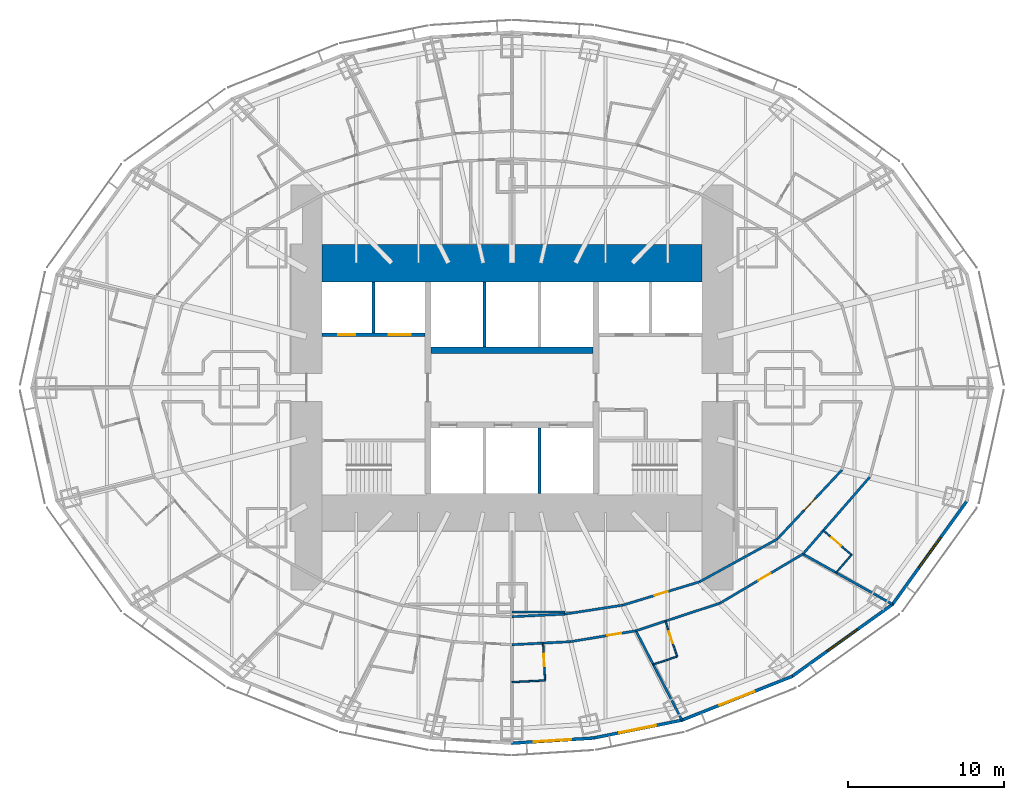
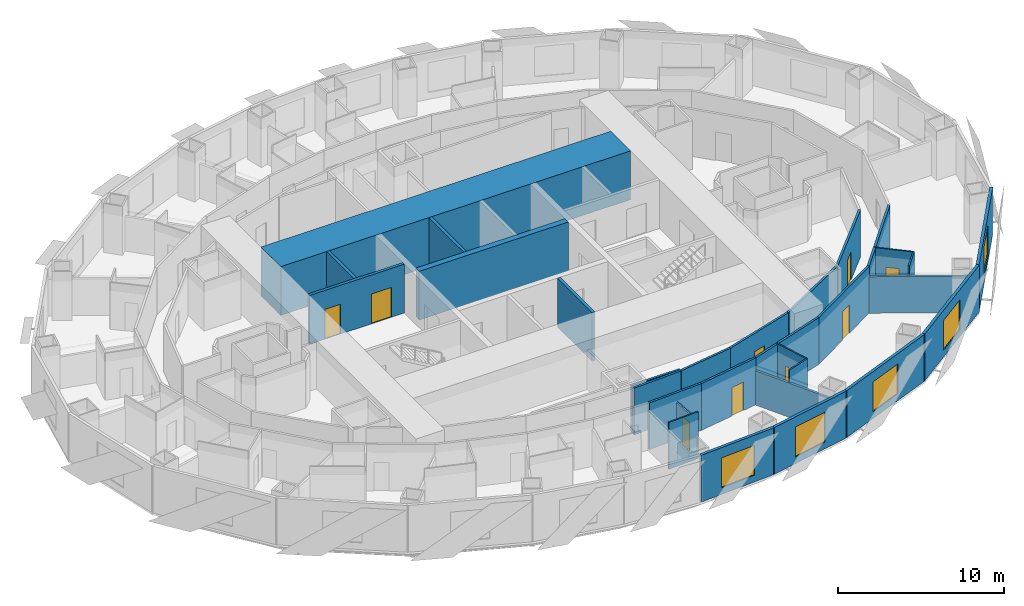
# One storey, part 7 of 15: 30 walls, 9 doors, 5 windows, 14 openings.
"""IFC4 building model written with IfcOpenShell, lengths in metres."""

from ifc_helpers import new_model, si_unit, direction, frame, frame_2d, origin, place, context, subcontext, project, spatial, rectangle, extrude, material, layer, layer_set, type_object, element, fill, save


model = new_model("IFC4")

# Units and contexts
model_context = context("Model", 3, precision=1e-05, world=origin(), true_north=direction((0.0, 1.0)))
body_context = subcontext(model_context, "Body", "Model", "MODEL_VIEW")
ifc_project = project(units=[si_unit("LENGTHUNIT", "METRE"), si_unit("AREAUNIT", "SQUARE_METRE"), si_unit("VOLUMEUNIT", "CUBIC_METRE"), si_unit("PLANEANGLEUNIT", "RADIAN"), si_unit("MASSUNIT", "GRAM", prefix="KILO")], contexts=[model_context])

# Site, building, storey
site_placement = place(None, origin())
site = spatial("IfcSite", under=ifc_project, at=site_placement, CompositionType="ELEMENT")
building_placement = place(site_placement, origin())
building = spatial("IfcBuilding", under=site, at=building_placement, Name="Lantaw Convention Tower", CompositionType="ELEMENT")
storey_placement = place(building_placement, frame((0.0, 0.0, 58.60009765625)))
storey = spatial("IfcBuildingStorey", under=building, at=storey_placement, Name="L12", CompositionType="ELEMENT", Elevation=58.60009765625)

# Wall
ifc_material_1 = material(Name="Gypsum board on steel studs", Category="steel")
ifc_layer_1 = layer(ifc_material_1, 0.14990234375)
ifc_layer_set_1 = layer_set([ifc_layer_1], Name="Back of house wall 150")
wall_type_1 = type_object("IfcWallType", Name="Back of house wall 150", PredefinedType="PARTITIONING", material=ifc_layer_set_1)
wall_1_placement = place(storey_placement, frame((0.0, -14.39990234375, 0.0), z_axis=(0.0, 0.0, 1.0), x_axis=(1.0, 0.0, 0.0)))
element("IfcWall", 1, at=wall_1_placement, inside=storey, type_object=wall_type_1, Name="Back of house wall 150", PredefinedType="PARTITIONING", context=body_context, shape_type="SweptSolid", body=[
    extrude(rectangle(XDim=3.401123046875, YDim=0.14990234375, at=frame_2d((1.70068359375, 0.0))), origin(), (0.0, 0.0, 1.0), 3.449951171875),
])

# Wall, opening, door
ifc_material_2 = material(Name="Moisture resistant gypsum board on steel studs", Category="steel")
ifc_layer_2 = layer(ifc_material_2, 0.10009765625)
ifc_layer_set_2 = layer_set([ifc_layer_2], Name="Bathroom wall 100")
wall_type_2 = type_object("IfcWallType", Name="Bathroom wall 100", PredefinedType="PARTITIONING", material=ifc_layer_set_2)
wall_2_placement = place(storey_placement, frame((1.997314453125, -16.39599609375, 0.0), z_axis=(0.0, 0.0, 1.0), x_axis=(0.051982187452, -0.998648012158, 0.0)))
wall_2 = element("IfcWall", 2, at=wall_2_placement, inside=storey, type_object=wall_type_2, Name="Bathroom wall 100", PredefinedType="PARTITIONING", context=body_context, shape_type="SweptSolid", body=[
    extrude(rectangle(XDim=2.39990234375, YDim=0.10009765625, at=frame_2d((1.199951171875, 0.0))), origin(), (0.0, 0.0, 1.0), 2.748779296875),
])
opening_1_placement = place(wall_2_placement, frame((0.699951171875, 0.0, 0.0)))
opening_1 = element("IfcOpeningElement", 3, at=opening_1_placement, cuts=wall_2, Name="Opening L12.55", PredefinedType="OPENING", context=body_context, shape_type="SweptSolid", body=[
    extrude(rectangle(XDim=0.800048828125, YDim=2.10009765625, at=frame_2d((0.39990234375, 1.050048828125))), frame((0.0, 0.06005859375, 0.0), z_axis=(0.0, -1.0, 0.0), x_axis=(1.0, 0.0, 0.0)), (0.0, 0.0, 1.0), 0.1201171875),
])
ifc_material_3 = material(Name="Timber", Category="wood")
door_type_1 = type_object("IfcDoorType", Name="Bathroom door 800", OperationType="SINGLE_SWING_LEFT", PredefinedType="DOOR", material=ifc_material_3)
door_1_placement = place(opening_1_placement, origin())
door_1 = element("IfcDoor", 4, at=door_1_placement, inside=storey, type_object=door_type_1, Name="Bathroom door", OperationType="SINGLE_SWING_LEFT", OverallHeight=2.10009765625, OverallWidth=0.800048828125, PredefinedType="DOOR", context=body_context, shape_type="SweptSolid", body=[
    extrude(rectangle(XDim=0.800048828125, YDim=2.10009765625, at=frame_2d((0.39990234375, 1.050048828125))), frame((0.0, 0.02490234375, 0.0), z_axis=(0.0, -1.0, 0.0), x_axis=(1.0, 0.0, 0.0)), (0.0, 0.0, 1.0), 0.050048828125),
])
fill(opening_1, door_1)

# Wall
wall_3_placement = place(storey_placement, frame((2.1220703125, -18.792724609375, 0.0), z_axis=(0.0, 0.0, 1.0), x_axis=(-0.998644675281, -0.052046253785, 0.0)))
element("IfcWall", 5, at=wall_3_placement, inside=storey, type_object=wall_type_2, Name="Bathroom wall 100", PredefinedType="PARTITIONING", context=body_context, shape_type="SweptSolid", body=[
    extrude(rectangle(XDim=2.125, YDim=0.10009765625, at=frame_2d((1.0625, 0.0))), origin(), (0.0, 0.0, 1.0), 3.449951171875),
])

# Wall, opening, door
wall_4_placement = place(storey_placement, frame((9.852294921875, -14.98291015625, 0.0), z_axis=(0.0, 0.0, 1.0), x_axis=(0.311890952591, -0.950117905153, 0.0)))
wall_4 = element("IfcWall", 6, at=wall_4_placement, inside=storey, type_object=wall_type_2, Name="Bathroom wall 100", PredefinedType="PARTITIONING", context=body_context, shape_type="SweptSolid", body=[
    extrude(rectangle(XDim=2.39990234375, YDim=0.10009765625, at=frame_2d((1.199951171875, 0.0))), origin(), (0.0, 0.0, 1.0), 3.449951171875),
])
opening_2_placement = place(wall_4_placement, frame((0.699951171875, 0.0, 0.0)))
opening_2 = element("IfcOpeningElement", 7, at=opening_2_placement, cuts=wall_4, Name="Opening L12.57", PredefinedType="OPENING", context=body_context, shape_type="SweptSolid", body=[
    extrude(rectangle(XDim=0.800048828125, YDim=2.10009765625, at=frame_2d((0.39990234375, 1.050048828125))), frame((0.0, 0.06005859375, 0.0), z_axis=(0.0, -1.0, 0.0), x_axis=(1.0, 0.0, 0.0)), (0.0, 0.0, 1.0), 0.1201171875),
])
door_2_placement = place(opening_2_placement, origin())
door_2 = element("IfcDoor", 8, at=door_2_placement, inside=storey, type_object=door_type_1, Name="Bathroom door", OperationType="SINGLE_SWING_LEFT", OverallHeight=2.10009765625, OverallWidth=0.800048828125, PredefinedType="DOOR", context=body_context, shape_type="SweptSolid", body=[
    extrude(rectangle(XDim=0.800048828125, YDim=2.10009765625, at=frame_2d((0.39990234375, 1.050048828125))), frame((0.0, 0.02490234375, 0.0), z_axis=(0.0, -1.0, 0.0), x_axis=(1.0, 0.0, 0.0)), (0.0, 0.0, 1.0), 0.050048828125),
])
fill(opening_2, door_2)

# Wall
wall_5_placement = place(storey_placement, frame((10.600830078125, -17.26318359375, 0.0), z_axis=(0.0, 0.0, 1.0), x_axis=(-0.950113706819, -0.311903741746, 0.0)))
element("IfcWall", 9, at=wall_5_placement, inside=storey, type_object=wall_type_2, Name="Bathroom wall 100", PredefinedType="PARTITIONING", context=body_context, shape_type="SweptSolid", body=[
    extrude(rectangle(XDim=1.62744140625, YDim=0.10009765625, at=frame_2d((0.813720703125, 0.0))), origin(), (0.0, 0.0, 1.0), 3.449951171875),
])

# Wall, opening, door
wall_6_placement = place(storey_placement, frame((19.99267578125, -9.164794921875, 0.0), z_axis=(0.0, 0.0, 1.0), x_axis=(0.755098052661, -0.655611875172, 0.0)))
wall_6 = element("IfcWall", 10, at=wall_6_placement, inside=storey, type_object=wall_type_2, Name="Bathroom wall 100", PredefinedType="PARTITIONING", context=body_context, shape_type="SweptSolid", body=[
    extrude(rectangle(XDim=2.400146484375, YDim=0.10009765625, at=frame_2d((1.2001953125, 0.0))), origin(), (0.0, 0.0, 1.0), 3.449951171875),
])
opening_3_placement = place(wall_6_placement, frame((0.699951171875, 0.0, 0.0)))
opening_3 = element("IfcOpeningElement", 11, at=opening_3_placement, cuts=wall_6, Name="Opening L12.59", PredefinedType="OPENING", context=body_context, shape_type="SweptSolid", body=[
    extrude(rectangle(XDim=0.800048828125, YDim=2.10009765625, at=frame_2d((0.39990234375, 1.050048828125))), frame((0.0, 0.06005859375, 0.0), z_axis=(0.0, -1.0, 0.0), x_axis=(1.0, 0.0, 0.0)), (0.0, 0.0, 1.0), 0.1201171875),
])
door_3_placement = place(opening_3_placement, origin())
door_3 = element("IfcDoor", 12, at=door_3_placement, inside=storey, type_object=door_type_1, Name="Bathroom door", OperationType="SINGLE_SWING_LEFT", OverallHeight=2.10009765625, OverallWidth=0.800048828125, PredefinedType="DOOR", context=body_context, shape_type="SweptSolid", body=[
    extrude(rectangle(XDim=0.800048828125, YDim=2.10009765625, at=frame_2d((0.39990234375, 1.050048828125))), frame((0.0, 0.02490234375, 0.0), z_axis=(0.0, -1.0, 0.0), x_axis=(1.0, 0.0, 0.0)), (0.0, 0.0, 1.0), 0.050048828125),
])
fill(opening_3, door_3)

# Walls
wall_7_placement = place(storey_placement, frame((21.804931640625, -10.73828125, 0.0), z_axis=(0.0, 0.0, 1.0), x_axis=(-0.655528024617, -0.755170847518, 0.0)))
element("IfcWall", 13, at=wall_7_placement, inside=storey, type_object=wall_type_2, Name="Bathroom wall 100", PredefinedType="PARTITIONING", context=body_context, shape_type="SweptSolid", body=[
    extrude(rectangle(XDim=1.52392578125, YDim=0.10009765625, at=frame_2d((0.761962890625, 0.0))), origin(), (0.0, 0.0, 1.0), 3.449951171875),
])
ifc_material_4 = material(Name="Concrete C60/75", Category="concrete")
ifc_layer_3 = layer(ifc_material_4, 2.39990234375)
ifc_layer_set_3 = layer_set([ifc_layer_3], Name="Core wall 2400")
wall_type_3 = type_object("IfcWallType", Name="Core wall 2400", PredefinedType="SHEAR", material=ifc_layer_set_3)
wall_8_placement = place(storey_placement, frame((12.199951171875, 8.0, 0.0), z_axis=(0.0, 0.0, 1.0), x_axis=(-1.0, 0.0, 0.0)))
element("IfcWall", 14, at=wall_8_placement, inside=storey, type_object=wall_type_3, Name="Core wall N", PredefinedType="SHEAR", context=body_context, shape_type="SweptSolid", body=[
    extrude(rectangle(XDim=24.39990234375, YDim=2.39990234375, at=frame_2d((12.199951171875, 0.0))), origin(), (0.0, 0.0, 1.0), 3.599853515625),
])
ifc_layer_4 = layer(ifc_material_4, 0.39990234375)
ifc_layer_set_4 = layer_set([ifc_layer_4], Name="Core wall 400")
wall_type_4 = type_object("IfcWallType", Name="Core wall 400", PredefinedType="SHEAR", material=ifc_layer_set_4)
wall_9_placement = place(storey_placement, frame((5.199951171875, 2.39990234375, 0.0), z_axis=(0.0, 0.0, 1.0), x_axis=(-1.0, 0.0, 0.0)))
element("IfcWall", 15, at=wall_9_placement, inside=storey, type_object=wall_type_4, Name="Core wall BN", PredefinedType="SHEAR", context=body_context, shape_type="SweptSolid", body=[
    extrude(rectangle(XDim=10.39990234375, YDim=0.39990234375, at=frame_2d((5.199951171875, 0.0))), origin(), (0.0, 0.0, 1.0), 3.599853515625),
])
ifc_material_5 = material(Name="Gypsum board on steel studs, fire rated", Category="steel")
ifc_layer_5 = layer(ifc_material_5, 0.14990234375)
ifc_layer_set_5 = layer_set([ifc_layer_5], Name="Corridor wall 150 EI 60")
wall_type_5 = type_object("IfcWallType", Name="Corridor wall 150 EI 60", PredefinedType="PARTITIONING", material=ifc_layer_set_5)
wall_10_placement = place(storey_placement, frame((0.0, -16.5, 0.0), z_axis=(0.0, 0.0, 1.0), x_axis=(0.998649848759, 0.05194689186, 0.0)))
element("IfcWall", 16, at=wall_10_placement, inside=storey, type_object=wall_type_5, Name="Corridor wall 150", PredefinedType="PARTITIONING", context=body_context, shape_type="SweptSolid", body=[
    extrude(rectangle(XDim=3.769287109375, YDim=0.14990234375, at=frame_2d((1.884765625, 0.0))), origin(), (0.0, 0.0, 1.0), 3.449951171875),
])

# Wall, opening, door
wall_11_placement = place(storey_placement, frame((3.76416015625, -16.30419921875, 0.0), z_axis=(0.0, 0.0, 1.0), x_axis=(0.98641101506, 0.164296407044, 0.0)))
wall_11 = element("IfcWall", 17, at=wall_11_placement, inside=storey, type_object=wall_type_5, Name="Corridor wall 150", PredefinedType="PARTITIONING", context=body_context, shape_type="SweptSolid", body=[
    extrude(rectangle(XDim=4.245361328125, YDim=0.14990234375, at=frame_2d((2.12255859375, 0.0))), origin(), (0.0, 0.0, 1.0), 3.449951171875),
])
opening_4_placement = place(wall_11_placement, frame((2.38330078125, 0.0, 0.0)))
opening_4 = element("IfcOpeningElement", 18, at=opening_4_placement, cuts=wall_11, Name="Opening L12.56", PredefinedType="OPENING", context=body_context, shape_type="SweptSolid", body=[
    extrude(rectangle(XDim=0.89990234375, YDim=2.10009765625, at=frame_2d((0.449951171875, 1.050048828125))), frame((0.0, 0.0849609375, 0.0), z_axis=(0.0, -1.0, 0.0), x_axis=(1.0, 0.0, 0.0)), (0.0, 0.0, 1.0), 0.169921875),
])
ifc_material_6 = material(Name="Steel, fire rated", Category="steel")
door_type_2 = type_object("IfcDoorType", Name="Guest room entrance door FD30S", OperationType="SINGLE_SWING_LEFT", PredefinedType="DOOR", material=ifc_material_6)
door_4_placement = place(opening_4_placement, origin())
door_4 = element("IfcDoor", 19, at=door_4_placement, inside=storey, type_object=door_type_2, Name="Junior suite entrance door", OperationType="SINGLE_SWING_LEFT", OverallHeight=2.10009765625, OverallWidth=0.89990234375, PredefinedType="DOOR", context=body_context, shape_type="SweptSolid", body=[
    extrude(rectangle(XDim=0.89990234375, YDim=2.10009765625, at=frame_2d((0.449951171875, 1.050048828125))), frame((0.0, 0.02490234375, 0.0), z_axis=(0.0, -1.0, 0.0), x_axis=(1.0, 0.0, 0.0)), (0.0, 0.0, 1.0), 0.050048828125),
])
fill(opening_4, door_4)

# Wall
wall_12_placement = place(storey_placement, frame((7.951904296875, -15.606689453125, 0.0), z_axis=(0.0, 0.0, 1.0), x_axis=(0.950106803111, 0.311924770869, 0.0)))
element("IfcWall", 20, at=wall_12_placement, inside=storey, type_object=wall_type_5, Name="Corridor wall 150", PredefinedType="PARTITIONING", context=body_context, shape_type="SweptSolid", body=[
    extrude(rectangle(XDim=5.689453125, YDim=0.14990234375, at=frame_2d((2.8447265625, 0.0))), origin(), (0.0, 0.0, 1.0), 3.449951171875),
])

# Wall, opening, door
wall_13_placement = place(storey_placement, frame((13.357421875, -13.83203125, 0.0), z_axis=(0.0, 0.0, 1.0), x_axis=(0.860147339762, 0.510045639036, 0.0)))
wall_13 = element("IfcWall", 21, at=wall_13_placement, inside=storey, type_object=wall_type_5, Name="Corridor wall 150", PredefinedType="PARTITIONING", context=body_context, shape_type="SweptSolid", body=[
    extrude(rectangle(XDim=6.189697265625, YDim=0.14990234375, at=frame_2d((3.0947265625, 0.0))), origin(), (0.0, 0.0, 1.0), 3.449951171875),
])
opening_5_placement = place(wall_13_placement, frame((2.852783203125, 0.0, 0.0)))
opening_5 = element("IfcOpeningElement", 22, at=opening_5_placement, cuts=wall_13, Name="Opening L12.58", PredefinedType="OPENING", context=body_context, shape_type="SweptSolid", body=[
    extrude(rectangle(XDim=0.89990234375, YDim=2.10009765625, at=frame_2d((0.449951171875, 1.050048828125))), frame((0.0, 0.0849609375, 0.0), z_axis=(0.0, -1.0, 0.0), x_axis=(1.0, 0.0, 0.0)), (0.0, 0.0, 1.0), 0.169921875),
])
door_5_placement = place(opening_5_placement, origin())
door_5 = element("IfcDoor", 23, at=door_5_placement, inside=storey, type_object=door_type_2, Name="Junior suite entrance door", OperationType="SINGLE_SWING_LEFT", OverallHeight=2.10009765625, OverallWidth=0.89990234375, PredefinedType="DOOR", context=body_context, shape_type="SweptSolid", body=[
    extrude(rectangle(XDim=0.89990234375, YDim=2.10009765625, at=frame_2d((0.449951171875, 1.050048828125))), frame((0.0, 0.02490234375, 0.0), z_axis=(0.0, -1.0, 0.0), x_axis=(1.0, 0.0, 0.0)), (0.0, 0.0, 1.0), 0.050048828125),
])
fill(opening_5, door_5)

# Walls
wall_14_placement = place(storey_placement, frame((18.681396484375, -10.675048828125, 0.0), z_axis=(0.0, 0.0, 1.0), x_axis=(0.655599989166, 0.755108372491, 0.0)))
element("IfcWall", 24, at=wall_14_placement, inside=storey, type_object=wall_type_5, Name="Corridor wall 150", PredefinedType="PARTITIONING", context=body_context, shape_type="SweptSolid", body=[
    extrude(rectangle(XDim=6.55078125, YDim=0.14990234375, at=frame_2d((3.275390625, 0.0))), origin(), (0.0, 0.0, 1.0), 3.449951171875),
])
wall_15_placement = place(storey_placement, frame((0.0, -14.699951171875, 0.0), z_axis=(0.0, 0.0, 1.0), x_axis=(0.998842682549, 0.048096730859, 0.0)))
element("IfcWall", 25, at=wall_15_placement, inside=storey, type_object=wall_type_5, Name="Corridor wall 150", PredefinedType="PARTITIONING", context=body_context, shape_type="SweptSolid", body=[
    extrude(rectangle(XDim=3.3603515625, YDim=0.14990234375, at=frame_2d((1.68017578125, 0.0))), origin(), (0.0, 0.0, 1.0), 3.449951171875),
])
wall_16_placement = place(storey_placement, frame((3.3564453125, -14.538330078125, 0.0), z_axis=(0.0, 0.0, 1.0), x_axis=(0.988343461108, 0.152240608529, 0.0)))
element("IfcWall", 26, at=wall_16_placement, inside=storey, type_object=wall_type_5, Name="Corridor wall 150", PredefinedType="PARTITIONING", context=body_context, shape_type="SweptSolid", body=[
    extrude(rectangle(XDim=3.800537109375, YDim=0.14990234375, at=frame_2d((1.900390625, 0.0))), origin(), (0.0, 0.0, 1.0), 3.449951171875),
])

# Wall, opening, door
wall_17_placement = place(storey_placement, frame((7.11279296875, -13.959716796875, 0.0), z_axis=(0.0, 0.0, 1.0), x_axis=(0.956795045135, 0.290763205385, 0.0)))
wall_17 = element("IfcWall", 27, at=wall_17_placement, inside=storey, type_object=wall_type_5, Name="Corridor wall 150", PredefinedType="PARTITIONING", context=body_context, shape_type="SweptSolid", body=[
    extrude(rectangle(XDim=5.1455078125, YDim=0.14990234375, at=frame_2d((2.57275390625, 0.0))), origin(), (0.0, 0.0, 1.0), 3.449951171875),
])
opening_6_placement = place(wall_17_placement, frame((2.122802734375, 0.0, 0.0)))
opening_6 = element("IfcOpeningElement", 28, at=opening_6_placement, cuts=wall_17, Name="Opening L12.23", PredefinedType="OPENING", context=body_context, shape_type="SweptSolid", body=[
    extrude(rectangle(XDim=0.89990234375, YDim=2.10009765625, at=frame_2d((0.449951171875, 1.050048828125))), frame((0.0, 0.0849609375, 0.0), z_axis=(0.0, -1.0, 0.0), x_axis=(1.0, 0.0, 0.0)), (0.0, 0.0, 1.0), 0.169921875),
])
door_type_3 = type_object("IfcDoorType", Name="Service door 900 FD30", OperationType="SINGLE_SWING_LEFT", PredefinedType="DOOR", material=ifc_material_6)
door_6_placement = place(opening_6_placement, origin())
door_6 = element("IfcDoor", 29, at=door_6_placement, inside=storey, type_object=door_type_3, Name="Guest ice and vending room door", OperationType="SINGLE_SWING_LEFT", OverallHeight=2.10009765625, OverallWidth=0.89990234375, PredefinedType="DOOR", context=body_context, shape_type="SweptSolid", body=[
    extrude(rectangle(XDim=0.89990234375, YDim=2.10009765625, at=frame_2d((0.449951171875, 1.050048828125))), frame((0.0, 0.02490234375, 0.0), z_axis=(0.0, -1.0, 0.0), x_axis=(1.0, 0.0, 0.0)), (0.0, 0.0, 1.0), 0.050048828125),
])
fill(opening_6, door_6)

# Wall
wall_18_placement = place(storey_placement, frame((12.035888671875, -12.463623046875, 0.0), z_axis=(0.0, 0.0, 1.0), x_axis=(0.876522084062, 0.481361647986, 0.0)))
element("IfcWall", 30, at=wall_18_placement, inside=storey, type_object=wall_type_5, Name="Corridor wall 150", PredefinedType="PARTITIONING", context=body_context, shape_type="SweptSolid", body=[
    extrude(rectangle(XDim=5.68701171875, YDim=0.14990234375, at=frame_2d((2.843505859375, 0.0))), origin(), (0.0, 0.0, 1.0), 3.449951171875),
])

# Wall, opening, door
wall_19_placement = place(storey_placement, frame((17.020751953125, -9.72607421875, 0.0), z_axis=(0.0, 0.0, 1.0), x_axis=(0.68365836236, 0.729802194828, 0.0)))
wall_19 = element("IfcWall", 31, at=wall_19_placement, inside=storey, type_object=wall_type_5, Name="Corridor wall 150", PredefinedType="PARTITIONING", context=body_context, shape_type="SweptSolid", body=[
    extrude(rectangle(XDim=6.08984375, YDim=0.14990234375, at=frame_2d((3.044921875, 0.0))), origin(), (0.0, 0.0, 1.0), 3.449951171875),
])
opening_7_placement = place(wall_19_placement, frame((2.544921875, 0.0, 0.0)))
opening_7 = element("IfcOpeningElement", 32, at=opening_7_placement, cuts=wall_19, Name="Opening L12.24", PredefinedType="OPENING", context=body_context, shape_type="SweptSolid", body=[
    extrude(rectangle(XDim=1.0, YDim=2.10009765625, at=frame_2d((0.5, 1.050048828125))), frame((0.0, 0.0849609375, 0.0), z_axis=(0.0, -1.0, 0.0), x_axis=(1.0, 0.0, 0.0)), (0.0, 0.0, 1.0), 0.169921875),
])
door_type_4 = type_object("IfcDoorType", Name="Service door 1000 FD30", OperationType="SINGLE_SWING_LEFT", PredefinedType="DOOR", material=ifc_material_6)
door_7_placement = place(opening_7_placement, origin())
door_7 = element("IfcDoor", 33, at=door_7_placement, inside=storey, type_object=door_type_4, Name="Room service pantry door", OperationType="SINGLE_SWING_LEFT", OverallHeight=2.10009765625, OverallWidth=1.0, PredefinedType="DOOR", context=body_context, shape_type="SweptSolid", body=[
    extrude(rectangle(XDim=1.0, YDim=2.10009765625, at=frame_2d((0.5, 1.050048828125))), frame((0.0, 0.02490234375, 0.0), z_axis=(0.0, -1.0, 0.0), x_axis=(1.0, 0.0, 0.0)), (0.0, 0.0, 1.0), 0.050048828125),
])
fill(opening_7, door_7)

# Wall, opening, window
ifc_material_7 = material(Name="Insulated aluminium panel on steel frame", Category="steel")
ifc_layer_6 = layer(ifc_material_7, 0.199951171875)
ifc_layer_set_6 = layer_set([ifc_layer_6], Name="External wall 200")
wall_type_6 = type_object("IfcWallType", Name="External wall 200", PredefinedType="SOLIDWALL", material=ifc_layer_set_6)
wall_20_placement = place(storey_placement, frame((-0.041015625, -22.8271484375, 0.0), z_axis=(0.0, 0.0, 1.0), x_axis=(0.998018582375, 0.062919863585, 0.0)))
wall_20 = element("IfcWall", 34, at=wall_20_placement, inside=storey, type_object=wall_type_6, Name="Facade panel wall", PredefinedType="SOLIDWALL", context=body_context, shape_type="SweptSolid", body=[
    extrude(rectangle(XDim=5.30419921875, YDim=0.199951171875, at=frame_2d((2.652099609375, 0.0))), origin(), (0.0, 0.0, 1.0), 3.449951171875),
])
opening_8_placement = place(wall_20_placement, frame((1.4521484375, 0.0, 0.5)))
opening_8 = element("IfcOpeningElement", 35, at=opening_8_placement, cuts=wall_20, Name="Opening W1", PredefinedType="OPENING", context=body_context, shape_type="SweptSolid", body=[
    extrude(rectangle(XDim=2.39990234375, YDim=2.199951171875, at=frame_2d((1.199951171875, 1.10009765625))), frame((0.0, 0.10986328125, 0.0), z_axis=(0.0, -1.0, 0.0), x_axis=(1.0, 0.0, 0.0)), (0.0, 0.0, 1.0), 0.219970703125),
])
ifc_material_8 = material(Name="Aluminium frame, clear insulating glass", Category="aluminium")
window_type = type_object("IfcWindowType", Name="Guest room window 2400x2200", PartitioningType="SINGLE_PANEL", PredefinedType="WINDOW", material=ifc_material_8)
window_1_placement = place(opening_8_placement, origin())
window_1 = element("IfcWindow", 36, at=window_1_placement, inside=storey, type_object=window_type, Name="Guest room window", OverallHeight=2.199951171875, OverallWidth=2.39990234375, PartitioningType="SINGLE_PANEL", PredefinedType="WINDOW", context=body_context, shape_type="SweptSolid", body=[
    extrude(rectangle(XDim=2.39990234375, YDim=2.199951171875, at=frame_2d((1.199951171875, 1.10009765625))), frame((0.0, 0.030029296875, 0.0), z_axis=(0.0, -1.0, 0.0), x_axis=(1.0, 0.0, 0.0)), (0.0, 0.0, 1.0), 0.06005859375),
])
fill(opening_8, window_1)

wall_21_placement = place(storey_placement, frame((5.169677734375, -22.504150390625, 0.0), z_axis=(0.0, 0.0, 1.0), x_axis=(0.980251657452, 0.197754110105, 0.0)))
wall_21 = element("IfcWall", 37, at=wall_21_placement, inside=storey, type_object=wall_type_6, Name="Facade panel wall", PredefinedType="SOLIDWALL", context=body_context, shape_type="SweptSolid", body=[
    extrude(rectangle(XDim=5.90380859375, YDim=0.199951171875, at=frame_2d((2.951904296875, 0.0))), origin(), (0.0, 0.0, 1.0), 3.449951171875),
])
opening_9_placement = place(wall_21_placement, frame((1.751708984375, 0.0, 0.5)))
opening_9 = element("IfcOpeningElement", 38, at=opening_9_placement, cuts=wall_21, Name="Opening W1", PredefinedType="OPENING", context=body_context, shape_type="SweptSolid", body=[
    extrude(rectangle(XDim=2.39990234375, YDim=2.199951171875, at=frame_2d((1.199951171875, 1.10009765625))), frame((0.0, 0.10986328125, 0.0), z_axis=(0.0, -1.0, 0.0), x_axis=(1.0, 0.0, 0.0)), (0.0, 0.0, 1.0), 0.219970703125),
])
window_2_placement = place(opening_9_placement, origin())
window_2 = element("IfcWindow", 39, at=window_2_placement, inside=storey, type_object=window_type, Name="Guest room window", OverallHeight=2.199951171875, OverallWidth=2.39990234375, PartitioningType="SINGLE_PANEL", PredefinedType="WINDOW", context=body_context, shape_type="SweptSolid", body=[
    extrude(rectangle(XDim=2.39990234375, YDim=2.199951171875, at=frame_2d((1.199951171875, 1.10009765625))), frame((0.0, 0.030029296875, 0.0), z_axis=(0.0, -1.0, 0.0), x_axis=(1.0, 0.0, 0.0)), (0.0, 0.0, 1.0), 0.06005859375),
])
fill(opening_9, window_2)

wall_22_placement = place(storey_placement, frame((10.869384765625, -21.362548828125, 0.0), z_axis=(0.0, 0.0, 1.0), x_axis=(0.929358351251, 0.369178892895, 0.0)))
wall_22 = element("IfcWall", 40, at=wall_22_placement, inside=storey, type_object=wall_type_6, Name="Facade panel wall", PredefinedType="SOLIDWALL", context=body_context, shape_type="SweptSolid", body=[
    extrude(rectangle(XDim=7.6923828125, YDim=0.199951171875, at=frame_2d((3.84619140625, 0.0))), origin(), (0.0, 0.0, 1.0), 3.449951171875),
])
opening_10_placement = place(wall_22_placement, frame((2.64599609375, 0.0, 0.5)))
opening_10 = element("IfcOpeningElement", 41, at=opening_10_placement, cuts=wall_22, Name="Opening W1", PredefinedType="OPENING", context=body_context, shape_type="SweptSolid", body=[
    extrude(rectangle(XDim=2.39990234375, YDim=2.199951171875, at=frame_2d((1.199951171875, 1.10009765625))), frame((0.0, 0.10986328125, 0.0), z_axis=(0.0, -1.0, 0.0), x_axis=(1.0, 0.0, 0.0)), (0.0, 0.0, 1.0), 0.219970703125),
])
window_3_placement = place(opening_10_placement, origin())
window_3 = element("IfcWindow", 42, at=window_3_placement, inside=storey, type_object=window_type, Name="Guest room window", OverallHeight=2.199951171875, OverallWidth=2.39990234375, PartitioningType="SINGLE_PANEL", PredefinedType="WINDOW", context=body_context, shape_type="SweptSolid", body=[
    extrude(rectangle(XDim=2.39990234375, YDim=2.199951171875, at=frame_2d((1.199951171875, 1.10009765625))), frame((0.0, 0.030029296875, 0.0), z_axis=(0.0, -1.0, 0.0), x_axis=(1.0, 0.0, 0.0)), (0.0, 0.0, 1.0), 0.06005859375),
])
fill(opening_10, window_3)

wall_23_placement = place(storey_placement, frame((17.9287109375, -18.57177734375, 0.0), z_axis=(0.0, 0.0, 1.0), x_axis=(0.812791321576, 0.582554948112, 0.0)))
wall_23 = element("IfcWall", 43, at=wall_23_placement, inside=storey, type_object=wall_type_6, Name="Facade panel wall", PredefinedType="SOLIDWALL", context=body_context, shape_type="SweptSolid", body=[
    extrude(rectangle(XDim=8.063232421875, YDim=0.199951171875, at=frame_2d((4.03173828125, 0.0))), origin(), (0.0, 0.0, 1.0), 3.449951171875),
])
opening_11_placement = place(wall_23_placement, frame((2.83154296875, 0.0, 0.5)))
opening_11 = element("IfcOpeningElement", 44, at=opening_11_placement, cuts=wall_23, Name="Opening W1", PredefinedType="OPENING", context=body_context, shape_type="SweptSolid", body=[
    extrude(rectangle(XDim=2.39990234375, YDim=2.199951171875, at=frame_2d((1.199951171875, 1.10009765625))), frame((0.0, 0.10986328125, 0.0), z_axis=(0.0, -1.0, 0.0), x_axis=(1.0, 0.0, 0.0)), (0.0, 0.0, 1.0), 0.219970703125),
])
window_4_placement = place(opening_11_placement, origin())
window_4 = element("IfcWindow", 45, at=window_4_placement, inside=storey, type_object=window_type, Name="Guest room window", OverallHeight=2.199951171875, OverallWidth=2.39990234375, PartitioningType="SINGLE_PANEL", PredefinedType="WINDOW", context=body_context, shape_type="SweptSolid", body=[
    extrude(rectangle(XDim=2.39990234375, YDim=2.199951171875, at=frame_2d((1.199951171875, 1.10009765625))), frame((0.0, 0.030029296875, 0.0), z_axis=(0.0, -1.0, 0.0), x_axis=(1.0, 0.0, 0.0)), (0.0, 0.0, 1.0), 0.06005859375),
])
fill(opening_11, window_4)

wall_24_placement = place(storey_placement, frame((24.400390625, -13.95654296875, 0.0), z_axis=(0.0, 0.0, 1.0), x_axis=(0.583937613703, 0.811798536155, 0.0)))
wall_24 = element("IfcWall", 46, at=wall_24_placement, inside=storey, type_object=wall_type_6, Name="Facade panel wall", PredefinedType="SOLIDWALL", context=body_context, shape_type="SweptSolid", body=[
    extrude(rectangle(XDim=8.322998046875, YDim=0.199951171875, at=frame_2d((4.16162109375, 0.0))), origin(), (0.0, 0.0, 1.0), 3.449951171875),
])
opening_12_placement = place(wall_24_placement, frame((2.96142578125, 0.0, 0.5)))
opening_12 = element("IfcOpeningElement", 47, at=opening_12_placement, cuts=wall_24, Name="Opening W1", PredefinedType="OPENING", context=body_context, shape_type="SweptSolid", body=[
    extrude(rectangle(XDim=2.39990234375, YDim=2.199951171875, at=frame_2d((1.199951171875, 1.10009765625))), frame((0.0, 0.10986328125, 0.0), z_axis=(0.0, -1.0, 0.0), x_axis=(1.0, 0.0, 0.0)), (0.0, 0.0, 1.0), 0.219970703125),
])
window_5_placement = place(opening_12_placement, origin())
window_5 = element("IfcWindow", 48, at=window_5_placement, inside=storey, type_object=window_type, Name="Guest room window", OverallHeight=2.199951171875, OverallWidth=2.39990234375, PartitioningType="SINGLE_PANEL", PredefinedType="WINDOW", context=body_context, shape_type="SweptSolid", body=[
    extrude(rectangle(XDim=2.39990234375, YDim=2.199951171875, at=frame_2d((1.199951171875, 1.10009765625))), frame((0.0, 0.030029296875, 0.0), z_axis=(0.0, -1.0, 0.0), x_axis=(1.0, 0.0, 0.0)), (0.0, 0.0, 1.0), 0.06005859375),
])
fill(opening_12, window_5)

# Walls
ifc_material_9 = material(Name="Gypsum board on steel studs, acoustic", Category="steel")
ifc_layer_7 = layer(ifc_material_9, 0.14990234375)
ifc_layer_set_7 = layer_set([ifc_layer_7], Name="Guest room party wall 150")
wall_type_7 = type_object("IfcWallType", Name="Guest room party wall 150", PredefinedType="PARTITIONING", material=ifc_layer_set_7)
wall_25_placement = place(storey_placement, frame((10.911865234375, -21.345703125, 0.0), z_axis=(0.0, 0.0, 1.0), x_axis=(-0.458384799126, 0.888753833145, 0.0)))
element("IfcWall", 49, at=wall_25_placement, inside=storey, type_object=wall_type_7, Name="Guest room party wall 150", PredefinedType="PARTITIONING", context=body_context, shape_type="SweptSolid", body=[
    extrude(rectangle(XDim=6.457275390625, YDim=0.14990234375, at=frame_2d((3.228515625, 0.0))), origin(), (0.0, 0.0, 1.0), 2.52783203125),
])
wall_26_placement = place(storey_placement, frame((24.434814453125, -13.90869140625, 0.0), z_axis=(0.0, 0.0, 1.0), x_axis=(-0.871747379892, 0.489955616001, 0.0)))
element("IfcWall", 50, at=wall_26_placement, inside=storey, type_object=wall_type_7, Name="Guest room party wall 150", PredefinedType="PARTITIONING", context=body_context, shape_type="SweptSolid", body=[
    extrude(rectangle(XDim=6.599853515625, YDim=0.14990234375, at=frame_2d((3.2998046875, 0.0))), origin(), (0.0, 0.0, 1.0), 2.69287109375),
])
ifc_material_10 = material(Name="Concrete blockwork, fire rated", Category="masonry")
ifc_layer_8 = layer(ifc_material_10, 0.199951171875)
ifc_layer_set_8 = layer_set([ifc_layer_8], Name="Shaft wall 200")
wall_type_8 = type_object("IfcWallType", Name="Shaft wall 200", PredefinedType="SOLIDWALL", material=ifc_layer_set_8)
wall_27_placement = place(storey_placement, frame((-1.7666015625, 2.60009765625, 0.0), z_axis=(0.0, 0.0, 1.0), x_axis=(0.0, 1.0, 0.0)))
element("IfcWall", 51, at=wall_27_placement, inside=storey, type_object=wall_type_8, Name="Shaft wall DN1", PredefinedType="SOLIDWALL", context=body_context, shape_type="SweptSolid", body=[
    extrude(rectangle(XDim=4.199951171875, YDim=0.199951171875, at=frame_2d((2.10009765625, 0.0))), origin(), (0.0, 0.0, 1.0), 3.599853515625),
])

# Wall, openings, doors
wall_28_placement = place(storey_placement, frame((-12.199951171875, 3.39990234375, 0.0), z_axis=(0.0, 0.0, 1.0), x_axis=(1.0, 0.0, 0.0)))
wall_28 = element("IfcWall", 52, at=wall_28_placement, inside=storey, type_object=wall_type_8, Name="Shaft wall WN", PredefinedType="SOLIDWALL", context=body_context, shape_type="SweptSolid", body=[
    extrude(rectangle(XDim=6.599853515625, YDim=0.199951171875, at=frame_2d((3.2998046875, 0.0))), origin(), (0.0, 0.0, 1.0), 3.599853515625),
])
opening_13_placement = place(wall_28_placement, frame((1.050048828125, 0.0, 0.0)))
opening_13 = element("IfcOpeningElement", 53, at=opening_13_placement, cuts=wall_28, Name="Opening L12.11", PredefinedType="OPENING", context=body_context, shape_type="SweptSolid", body=[
    extrude(rectangle(XDim=1.10009765625, YDim=2.199951171875, at=frame_2d((0.550048828125, 1.10009765625))), frame((0.0, 0.10986328125, 0.0), z_axis=(0.0, -1.0, 0.0), x_axis=(1.0, 0.0, 0.0)), (0.0, 0.0, 1.0), 0.219970703125),
])
opening_14_placement = place(wall_28_placement, frame((4.300048828125, 0.0, 0.0)))
opening_14 = element("IfcOpeningElement", 54, at=opening_14_placement, cuts=wall_28, Name="Opening L12.12", PredefinedType="OPENING", context=body_context, shape_type="SweptSolid", body=[
    extrude(rectangle(XDim=1.39990234375, YDim=2.199951171875, at=frame_2d((0.699951171875, 1.10009765625))), frame((0.0, 0.10986328125, 0.0), z_axis=(0.0, -1.0, 0.0), x_axis=(1.0, 0.0, 0.0)), (0.0, 0.0, 1.0), 0.219970703125),
])
ifc_material_11 = material(Name="Stainless steel", Category="steel")
door_type_5 = type_object("IfcDoorType", Name="Lift landing door 1100", OperationType="DOUBLE_DOOR_SLIDING", PredefinedType="DOOR", material=ifc_material_11)
door_8_placement = place(opening_13_placement, origin())
door_8 = element("IfcDoor", 55, at=door_8_placement, inside=storey, type_object=door_type_5, Name="Lift landing door FF1", OperationType="DOUBLE_DOOR_SLIDING", OverallHeight=2.199951171875, OverallWidth=1.10009765625, PredefinedType="DOOR", context=body_context, shape_type="SweptSolid", body=[
    extrude(rectangle(XDim=1.10009765625, YDim=2.199951171875, at=frame_2d((0.550048828125, 1.10009765625))), frame((0.0, 0.02490234375, 0.0), z_axis=(0.0, -1.0, 0.0), x_axis=(1.0, 0.0, 0.0)), (0.0, 0.0, 1.0), 0.050048828125),
])
fill(opening_13, door_8)
door_type_6 = type_object("IfcDoorType", Name="Lift landing door 1400", OperationType="DOUBLE_DOOR_SLIDING", PredefinedType="DOOR", material=ifc_material_11)
door_9_placement = place(opening_14_placement, origin())
door_9 = element("IfcDoor", 56, at=door_9_placement, inside=storey, type_object=door_type_6, Name="Lift landing door SV1", OperationType="DOUBLE_DOOR_SLIDING", OverallHeight=2.199951171875, OverallWidth=1.39990234375, PredefinedType="DOOR", context=body_context, shape_type="SweptSolid", body=[
    extrude(rectangle(XDim=1.39990234375, YDim=2.199951171875, at=frame_2d((0.699951171875, 1.10009765625))), frame((0.0, 0.02490234375, 0.0), z_axis=(0.0, -1.0, 0.0), x_axis=(1.0, 0.0, 0.0)), (0.0, 0.0, 1.0), 0.050048828125),
])
fill(opening_14, door_9)

# Walls
wall_29_placement = place(storey_placement, frame((-8.89990234375, 3.5, 0.0), z_axis=(0.0, 0.0, 1.0), x_axis=(0.0, 1.0, 0.0)))
element("IfcWall", 57, at=wall_29_placement, inside=storey, type_object=wall_type_8, Name="Shaft wall WD", PredefinedType="SOLIDWALL", context=body_context, shape_type="SweptSolid", body=[
    extrude(rectangle(XDim=3.300048828125, YDim=0.199951171875, at=frame_2d((1.64990234375, 0.0))), origin(), (0.0, 0.0, 1.0), 3.599853515625),
])
ifc_layer_9 = layer(ifc_material_10, 0.199951171875)
ifc_layer_set_9 = layer_set([ifc_layer_9], Name="Shaft wall 200 load-bearing")
wall_type_9 = type_object("IfcWallType", Name="Shaft wall 200 load-bearing", PredefinedType="SOLIDWALL", material=ifc_layer_set_9)
wall_30_placement = place(storey_placement, frame((1.7666015625, -2.60009765625, 0.0), z_axis=(0.0, 0.0, 1.0), x_axis=(0.0, -1.0, 0.0)))
element("IfcWall", 58, at=wall_30_placement, inside=storey, type_object=wall_type_9, Name="Shaft wall DS2", PredefinedType="SOLIDWALL", context=body_context, shape_type="SweptSolid", body=[
    extrude(rectangle(XDim=4.199951171875, YDim=0.199951171875, at=frame_2d((2.10009765625, 0.0))), origin(), (0.0, 0.0, 1.0), 3.599853515625),
])

save(model, "model.ifc")
